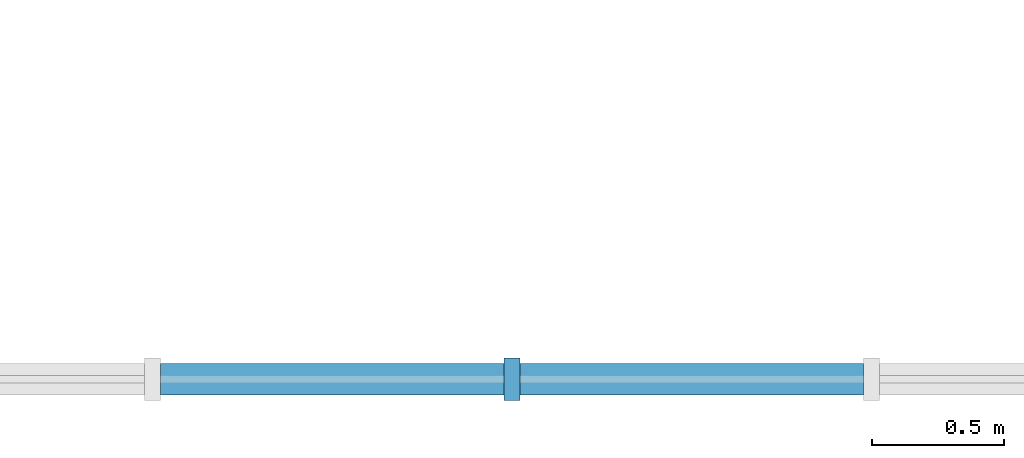
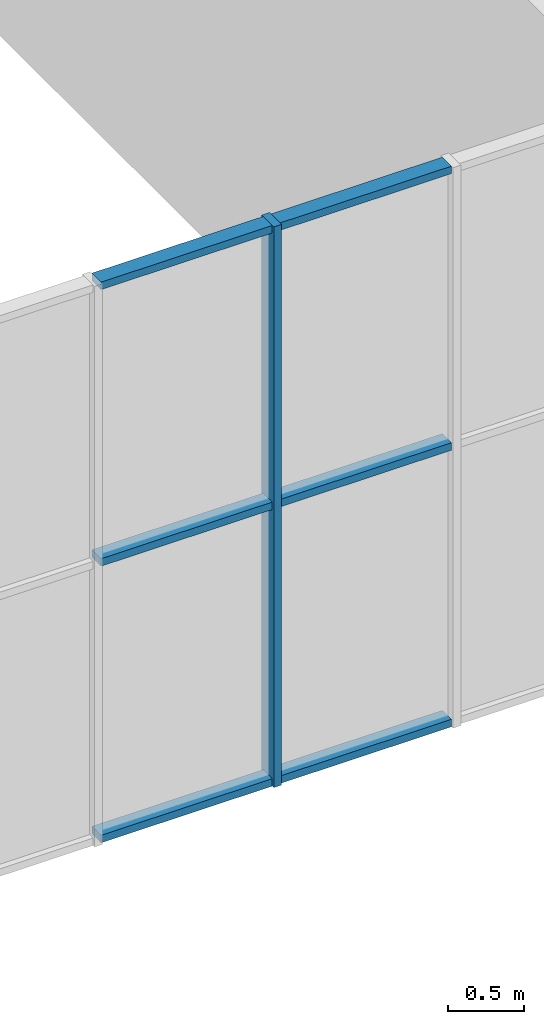
# One storey, part 7 of 70: 7 members, 1 element without a shape of its own.
"""IFC4 building model written with IfcOpenShell, lengths in metres."""

from ifc_helpers import new_model, si_unit, direction, frame, origin, origin_2d, place, context, subcontext, project, spatial, rectangle, extrude, material, material_profile, profile_set, type_object, element, aggregate, save


model = new_model("IFC4")

# Units and contexts
model_context = context("Model", 3, precision=1e-05, world=origin(), true_north=direction((0.0, 1.0)))
body_context = subcontext(model_context, "Body", "Model", "MODEL_VIEW")
ifc_project = project(units=[si_unit("LENGTHUNIT", "METRE"), si_unit("AREAUNIT", "SQUARE_METRE"), si_unit("VOLUMEUNIT", "CUBIC_METRE"), si_unit("PLANEANGLEUNIT", "RADIAN"), si_unit("MASSUNIT", "GRAM", prefix="KILO")], contexts=[model_context])

# Site, building, storey
site_placement = place(None, origin())
site = spatial("IfcSite", under=ifc_project, at=site_placement, CompositionType="ELEMENT")
building_placement = place(site_placement, origin())
building = spatial("IfcBuilding", under=site, at=building_placement, Name="Saffron Lane Theatres", CompositionType="ELEMENT")
storey_placement = place(building_placement, frame((0.0, 0.0, 12.0)))
storey = spatial("IfcBuildingStorey", under=building, at=storey_placement, Name="L02", CompositionType="ELEMENT", Elevation=12.0)

# Curtain wall, members
ifc_material_1 = material(Name="Aluminium", Category="aluminium")
curtain_wall_type = type_object("IfcCurtainWallType", Name="EX-CURTAIN WALL 5440x4500x160", PredefinedType="NOTDEFINED", material=ifc_material_1)
curtain_wall_placement = place(storey_placement, origin())
curtain_wall = element("IfcCurtainWall", 1, at=curtain_wall_placement, inside=storey, type_object=curtain_wall_type, Name="Curtain wall L02 05", PredefinedType="NOTDEFINED")
ifc_material_2 = material(Name="Aluminium", Category="aluminium")
ifc_material_profile_1 = material_profile(ifc_material_2, rectangle(XDim=0.06005859375, YDim=0.159912109375, at=origin_2d()))
ifc_profile_set_1 = profile_set([ifc_material_profile_1], Name="Aluminium")
member_type_1 = type_object("IfcMemberType", Name="EX-CW MULLION 60x160", PredefinedType="MULLION", material=ifc_profile_set_1)
member_1_placement = place(storey_placement, frame((62.919921875, 0.1298828125, 0.0), z_axis=(0.0, 0.0, 1.0), x_axis=(-1.0, 0.0, 0.0)))
member_1 = element("IfcMember", 2, at=member_1_placement, type_object=member_type_1, Name="CW-02-05 mullion 3", PredefinedType="MULLION", context=body_context, shape_type="SweptSolid", body=[
    extrude(rectangle(XDim=0.06005859375, YDim=0.159912109375, at=origin_2d()), origin(), (0.0, 0.0, 1.0), 4.5),
])
ifc_material_3 = material(Name="Aluminium", Category="aluminium")
ifc_material_profile_2 = material_profile(ifc_material_3, rectangle(XDim=0.1201171875, YDim=0.06005859375, at=origin_2d()))
ifc_profile_set_2 = profile_set([ifc_material_profile_2], Name="Aluminium")
member_type_2 = type_object("IfcMemberType", Name="EX-CW TRANSOM 120x60", PredefinedType="USERDEFINED", material=ifc_profile_set_2)
member_2_placement = place(storey_placement, frame((64.25, 0.1298828125, 0.030029296875), z_axis=(-1.0, 0.0, 0.0), x_axis=(0.0, -1.0, 0.0)))
member_2 = element("IfcMember", 3, at=member_2_placement, type_object=member_type_2, Name="CW-02-05 transom 2.1", ObjectType="TRANSOM", PredefinedType="USERDEFINED", context=body_context, shape_type="SweptSolid", body=[
    extrude(rectangle(XDim=0.1201171875, YDim=0.06005859375, at=origin_2d()), origin(), (0.0, 0.0, 1.0), 1.300048828125),
])
member_3_placement = place(storey_placement, frame((64.25, 0.1298828125, 2.25), z_axis=(-1.0, 0.0, 0.0), x_axis=(0.0, -1.0, 0.0)))
member_3 = element("IfcMember", 4, at=member_3_placement, type_object=member_type_2, Name="CW-02-05 transom 2.2", ObjectType="TRANSOM", PredefinedType="USERDEFINED", context=body_context, shape_type="SweptSolid", body=[
    extrude(rectangle(XDim=0.1201171875, YDim=0.06005859375, at=origin_2d()), origin(), (0.0, 0.0, 1.0), 1.300048828125),
])
member_4_placement = place(storey_placement, frame((64.25, 0.1298828125, 4.469970703125), z_axis=(-1.0, 0.0, 0.0), x_axis=(0.0, -1.0, 0.0)))
member_4 = element("IfcMember", 5, at=member_4_placement, type_object=member_type_2, Name="CW-02-05 transom 2.3", ObjectType="TRANSOM", PredefinedType="USERDEFINED", context=body_context, shape_type="SweptSolid", body=[
    extrude(rectangle(XDim=0.1201171875, YDim=0.06005859375, at=origin_2d()), origin(), (0.0, 0.0, 1.0), 1.300048828125),
])
member_5_placement = place(storey_placement, frame((62.889892578125, 0.1298828125, 0.030029296875), z_axis=(-1.0, 0.0, 0.0), x_axis=(0.0, -1.0, 0.0)))
member_5 = element("IfcMember", 6, at=member_5_placement, type_object=member_type_2, Name="CW-02-05 transom 3.1", ObjectType="TRANSOM", PredefinedType="USERDEFINED", context=body_context, shape_type="SweptSolid", body=[
    extrude(rectangle(XDim=0.1201171875, YDim=0.06005859375, at=origin_2d()), origin(), (0.0, 0.0, 1.0), 1.300048828125),
])
member_6_placement = place(storey_placement, frame((62.889892578125, 0.1298828125, 2.25), z_axis=(-1.0, 0.0, 0.0), x_axis=(0.0, -1.0, 0.0)))
member_6 = element("IfcMember", 7, at=member_6_placement, type_object=member_type_2, Name="CW-02-05 transom 3.2", ObjectType="TRANSOM", PredefinedType="USERDEFINED", context=body_context, shape_type="SweptSolid", body=[
    extrude(rectangle(XDim=0.1201171875, YDim=0.06005859375, at=origin_2d()), origin(), (0.0, 0.0, 1.0), 1.300048828125),
])
member_7_placement = place(storey_placement, frame((62.889892578125, 0.1298828125, 4.469970703125), z_axis=(-1.0, 0.0, 0.0), x_axis=(0.0, -1.0, 0.0)))
member_7 = element("IfcMember", 8, at=member_7_placement, type_object=member_type_2, Name="CW-02-05 transom 3.3", ObjectType="TRANSOM", PredefinedType="USERDEFINED", context=body_context, shape_type="SweptSolid", body=[
    extrude(rectangle(XDim=0.1201171875, YDim=0.06005859375, at=origin_2d()), origin(), (0.0, 0.0, 1.0), 1.300048828125),
])
aggregate(curtain_wall, [member_1, member_2, member_3, member_4, member_5, member_6, member_7])

save(model, "model.ifc")
